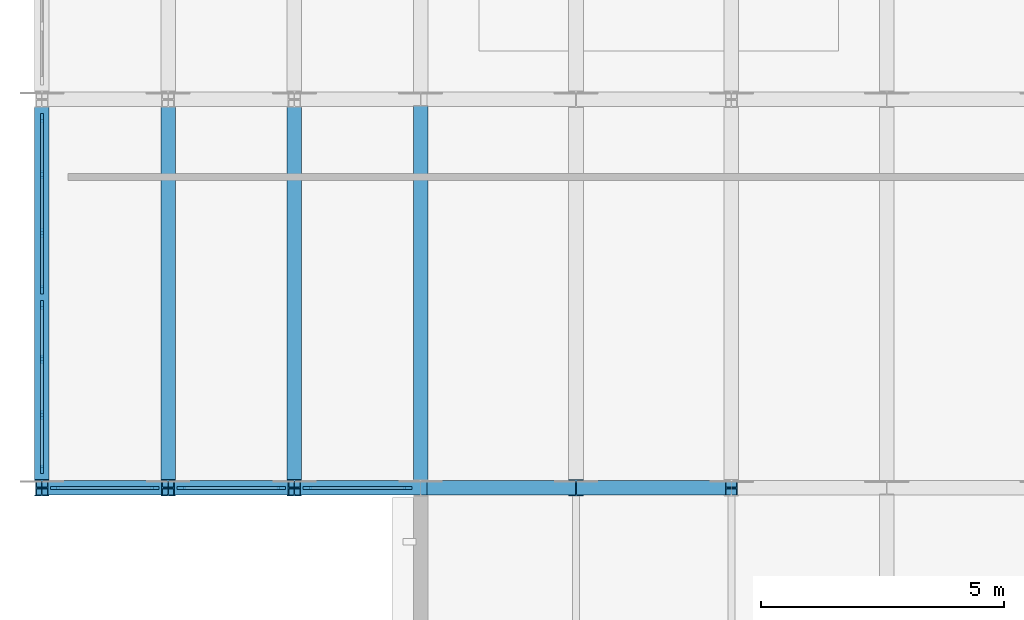
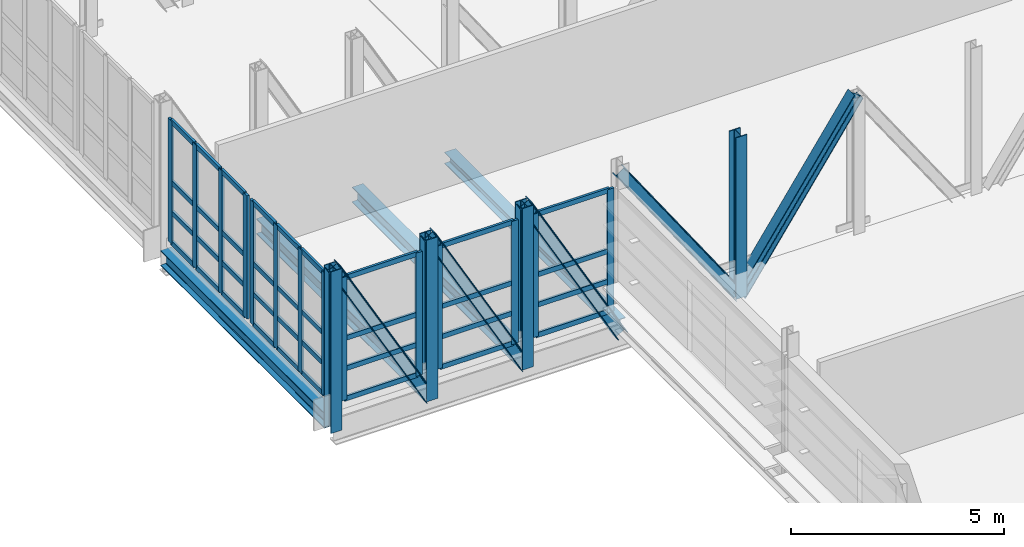
# One storey, part 19 of 73: 59 members, 4 beams, 5 elements without a shape of their own.
"""IFC4 building model written with IfcOpenShell, lengths in metres."""

from ifc_helpers import new_model, si_unit, direction, frame, origin, origin_2d, place, context, subcontext, project, spatial, rectangle, i_section, extrude, material, layer, layer_set, material_profile, profile_set, type_object, element, aggregate, save


model = new_model("IFC4")

# Units and contexts
model_context = context("Model", 3, precision=1e-05, world=origin(), true_north=direction((0.0, 1.0)))
body_context = subcontext(model_context, "Body", "Model", "MODEL_VIEW")
ifc_project = project(units=[si_unit("LENGTHUNIT", "METRE"), si_unit("AREAUNIT", "SQUARE_METRE"), si_unit("VOLUMEUNIT", "CUBIC_METRE"), si_unit("PLANEANGLEUNIT", "RADIAN"), si_unit("MASSUNIT", "GRAM", prefix="KILO")], contexts=[model_context])

# Site, building, storey
site_placement = place(None, origin())
site = spatial("IfcSite", under=ifc_project, at=site_placement, CompositionType="ELEMENT")
building_placement = place(site_placement, origin())
building = spatial("IfcBuilding", under=site, at=building_placement, Name="Alderhovde Museum", CompositionType="ELEMENT")
storey_placement = place(building_placement, frame((0.0, 0.0, 12.89990234375)))
storey = spatial("IfcBuildingStorey", under=building, at=storey_placement, Name="L03", CompositionType="ELEMENT", Elevation=12.89990234375)

# Beams
ifc_material_1 = material(Name="Steel S355J2", Category="steel")
ifc_material_profile_1 = material_profile(ifc_material_1, i_section(OverallWidth=0.300048828125, OverallDepth=0.330078125, WebThickness=0.009521484375, FlangeThickness=0.0166015625, FilletRadius=0.027099609375, at=origin_2d()), Name="HEA 340")
ifc_profile_set_1 = profile_set([ifc_material_profile_1], Name="Steel S355J2")
beam_type_1 = type_object("IfcBeamType", Name="BM-HEA340", PredefinedType="BEAM", material=ifc_profile_set_1)
beam_placement = place(storey_placement, frame((9.60009765625, 80.0, -0.48486328125), z_axis=(0.0, 1.0, 0.0), x_axis=(-1.0, 0.0, 0.0)))
element("IfcBeam", 1, at=beam_placement, inside=storey, type_object=beam_type_1, Name="L03 Grid Beam X=9.6 (80.0 TO 88.0)", PredefinedType="BEAM", context=body_context, shape_type="SweptSolid", body=[
    extrude(i_section(OverallWidth=0.300048828125, OverallDepth=0.330078125, WebThickness=0.009521484375, FlangeThickness=0.0166015625, FilletRadius=0.027099609375, at=origin_2d()), origin(), (0.0, 0.0, 1.0), 8.0),
])
ifc_material_2 = material(Name="Steel S355J2", Category="steel")
ifc_material_profile_2 = material_profile(ifc_material_2, i_section(OverallWidth=0.300048828125, OverallDepth=0.43994140625, WebThickness=0.011474609375, FlangeThickness=0.02099609375, FilletRadius=0.027099609375, at=origin_2d()), Name="HEA 450")
ifc_profile_set_2 = profile_set([ifc_material_profile_2], Name="Steel S355J2")
beam_type_2 = type_object("IfcBeamType", Name="BM-HEA450", PredefinedType="BEAM", material=ifc_profile_set_2)
for number, where, z_axis, x_axis, name in (
    (2, (1.800048828125, 80.14990234375, -0.539794921875), (0.0, 1.0, 0.0), (-1.0, 0.0, 0.0), "L03 Transfer Transverse Beam X=1.8"),
    (3, (4.39990234375, 80.14990234375, -0.539794921875), (0.0, 1.0, 0.0), (-1.0, 0.0, 0.0), "L03 Transfer Transverse Beam X=4.4"),
    (4, (7.0, 80.14990234375, -0.539794921875), (0.0, 1.0, 0.0), (-1.0, 0.0, 0.0), "L03 Transfer Transverse Beam X=7.0"),
):
    element("IfcBeam", number, at=place(storey_placement, frame(where, z_axis=z_axis, x_axis=x_axis)), inside=storey, type_object=beam_type_2, Name=name, PredefinedType="BEAM", context=body_context, shape_type="SweptSolid", body=[
        extrude(i_section(OverallWidth=0.300048828125, OverallDepth=0.43994140625, WebThickness=0.011474609375, FlangeThickness=0.02099609375, FilletRadius=0.027099609375, at=origin_2d()), origin(), (0.0, 0.0, 1.0), 7.7001953125),
    ])

# Curtain wall, members
ifc_material_3 = material(Name="Triple-Glazed Bronze-Anodised Curtain Wall", Category="glass")
ifc_layer_1 = layer(ifc_material_3, 0.179931640625)
ifc_layer_set_1 = layer_set([ifc_layer_1], Name="Triple-Glazed Bronze-Anodised Curtain Wall")
curtain_wall_type_1 = type_object("IfcCurtainWallType", Name="CW-UNIT-345x354", PredefinedType="USERDEFINED", material=ifc_layer_set_1)
curtain_wall_1_placement = place(storey_placement, origin())
curtain_wall_1 = element("IfcCurtainWall", 5, at=curtain_wall_1_placement, inside=storey, type_object=curtain_wall_type_1, Name="L03 Unitised Curtain Wall 91", ObjectType="UNITISED CURTAIN WALL", PredefinedType="USERDEFINED")
ifc_material_4 = material(Name="Bronze-Anodised Aluminium EN AW-6063-T6", Category="aluminium")
ifc_material_profile_3 = material_profile(ifc_material_4, rectangle(XDim=0.06494140625, YDim=0.179931640625, at=origin_2d()), Name="MULLION 65x180")
ifc_profile_set_3 = profile_set([ifc_material_profile_3], Name="Bronze-Anodised Aluminium EN AW-6063-T6")
member_type_1 = type_object("IfcMemberType", Name="CWM-65x180", PredefinedType="MULLION", material=ifc_profile_set_3)
member_1_placement = place(storey_placement, frame((1.800048828125, 80.382568359375, 0.0), z_axis=(0.0, 0.0, 1.0), x_axis=(-1.0, 0.0, 0.0)))
member_1 = element("IfcMember", 6, at=member_1_placement, type_object=member_type_1, Name="CW24 mullion 1", PredefinedType="MULLION", context=body_context, shape_type="SweptSolid", body=[
    extrude(rectangle(XDim=0.06494140625, YDim=0.179931640625, at=origin_2d()), origin(), (0.0, 0.0, 1.0), 3.5400390625),
])
member_2_placement = place(storey_placement, frame((1.800048828125, 81.5, 0.0), z_axis=(0.0, 0.0, 1.0), x_axis=(-1.0, 0.0, 0.0)))
member_2 = element("IfcMember", 7, at=member_2_placement, type_object=member_type_1, Name="CW24 mullion 2", PredefinedType="MULLION", context=body_context, shape_type="SweptSolid", body=[
    extrude(rectangle(XDim=0.06494140625, YDim=0.179931640625, at=origin_2d()), origin(), (0.0, 0.0, 1.0), 3.5400390625),
])
member_3_placement = place(storey_placement, frame((1.800048828125, 82.64990234375, 0.0), z_axis=(0.0, 0.0, 1.0), x_axis=(-1.0, 0.0, 0.0)))
member_3 = element("IfcMember", 8, at=member_3_placement, type_object=member_type_1, Name="CW24 mullion 3", PredefinedType="MULLION", context=body_context, shape_type="SweptSolid", body=[
    extrude(rectangle(XDim=0.06494140625, YDim=0.179931640625, at=origin_2d()), origin(), (0.0, 0.0, 1.0), 3.5400390625),
])
member_4_placement = place(storey_placement, frame((1.800048828125, 83.767578125, 0.0), z_axis=(0.0, 0.0, 1.0), x_axis=(-1.0, 0.0, 0.0)))
member_4 = element("IfcMember", 9, at=member_4_placement, type_object=member_type_1, Name="CW24 mullion 4", PredefinedType="MULLION", context=body_context, shape_type="SweptSolid", body=[
    extrude(rectangle(XDim=0.06494140625, YDim=0.179931640625, at=origin_2d()), origin(), (0.0, 0.0, 1.0), 3.5400390625),
])

ifc_material_5 = material(Name="Triple-Glazed Bronze-Anodised Curtain Wall", Category="glass")
ifc_layer_2 = layer(ifc_material_5, 0.179931640625)
ifc_layer_set_2 = layer_set([ifc_layer_2], Name="Triple-Glazed Bronze-Anodised Curtain Wall")
curtain_wall_type_2 = type_object("IfcCurtainWallType", Name="CW-UNIT-360x354", PredefinedType="USERDEFINED", material=ifc_layer_set_2)
curtain_wall_2_placement = place(storey_placement, origin())
curtain_wall_2 = element("IfcCurtainWall", 10, at=curtain_wall_2_placement, inside=storey, type_object=curtain_wall_type_2, Name="L03 Unitised Curtain Wall 92", ObjectType="UNITISED CURTAIN WALL", PredefinedType="USERDEFINED")
member_5_placement = place(storey_placement, frame((1.800048828125, 84.08251953125, 0.0), z_axis=(0.0, 0.0, 1.0), x_axis=(-1.0, 0.0, 0.0)))
member_5 = element("IfcMember", 11, at=member_5_placement, type_object=member_type_1, Name="CW20 mullion 1", PredefinedType="MULLION", context=body_context, shape_type="SweptSolid", body=[
    extrude(rectangle(XDim=0.06494140625, YDim=0.179931640625, at=origin_2d()), origin(), (0.0, 0.0, 1.0), 3.5400390625),
])
member_6_placement = place(storey_placement, frame((1.800048828125, 85.25, 0.0), z_axis=(0.0, 0.0, 1.0), x_axis=(-1.0, 0.0, 0.0)))
member_6 = element("IfcMember", 12, at=member_6_placement, type_object=member_type_1, Name="CW20 mullion 2", PredefinedType="MULLION", context=body_context, shape_type="SweptSolid", body=[
    extrude(rectangle(XDim=0.06494140625, YDim=0.179931640625, at=origin_2d()), origin(), (0.0, 0.0, 1.0), 3.5400390625),
])
member_7_placement = place(storey_placement, frame((1.800048828125, 86.449951171875, 0.0), z_axis=(0.0, 0.0, 1.0), x_axis=(-1.0, 0.0, 0.0)))
member_7 = element("IfcMember", 13, at=member_7_placement, type_object=member_type_1, Name="CW20 mullion 3", PredefinedType="MULLION", context=body_context, shape_type="SweptSolid", body=[
    extrude(rectangle(XDim=0.06494140625, YDim=0.179931640625, at=origin_2d()), origin(), (0.0, 0.0, 1.0), 3.5400390625),
])
member_8_placement = place(storey_placement, frame((1.800048828125, 87.617431640625, 0.0), z_axis=(0.0, 0.0, 1.0), x_axis=(-1.0, 0.0, 0.0)))
member_8 = element("IfcMember", 14, at=member_8_placement, type_object=member_type_1, Name="CW20 mullion 4", PredefinedType="MULLION", context=body_context, shape_type="SweptSolid", body=[
    extrude(rectangle(XDim=0.06494140625, YDim=0.179931640625, at=origin_2d()), origin(), (0.0, 0.0, 1.0), 3.5400390625),
])

ifc_material_6 = material(Name="Triple-Glazed Bronze-Anodised Curtain Wall", Category="glass")
ifc_layer_3 = layer(ifc_material_6, 0.179931640625)
ifc_layer_set_3 = layer_set([ifc_layer_3], Name="Triple-Glazed Bronze-Anodised Curtain Wall")
curtain_wall_type_3 = type_object("IfcCurtainWallType", Name="CW-UNIT-212x354", PredefinedType="USERDEFINED", material=ifc_layer_set_3)
curtain_wall_3_placement = place(storey_placement, origin())
curtain_wall_3 = element("IfcCurtainWall", 15, at=curtain_wall_3_placement, inside=storey, type_object=curtain_wall_type_3, Name="L03 Unitised Curtain Wall 100", ObjectType="UNITISED CURTAIN WALL", PredefinedType="USERDEFINED")
member_9_placement = place(storey_placement, frame((2.072509765625, 80.0, 0.0), z_axis=(0.0, 0.0, 1.0), x_axis=(0.0, 1.0, 0.0)))
member_9 = element("IfcMember", 16, at=member_9_placement, type_object=member_type_1, Name="CW25 mullion 1", PredefinedType="MULLION", context=body_context, shape_type="SweptSolid", body=[
    extrude(rectangle(XDim=0.06494140625, YDim=0.179931640625, at=origin_2d()), origin(), (0.0, 0.0, 1.0), 3.5400390625),
])
member_10_placement = place(storey_placement, frame((4.12744140625, 80.0, 0.0), z_axis=(0.0, 0.0, 1.0), x_axis=(0.0, 1.0, 0.0)))
member_10 = element("IfcMember", 17, at=member_10_placement, type_object=member_type_1, Name="CW25 mullion 2", PredefinedType="MULLION", context=body_context, shape_type="SweptSolid", body=[
    extrude(rectangle(XDim=0.06494140625, YDim=0.179931640625, at=origin_2d()), origin(), (0.0, 0.0, 1.0), 3.5400390625),
])

curtain_wall_4_placement = place(storey_placement, origin())
curtain_wall_4 = element("IfcCurtainWall", 18, at=curtain_wall_4_placement, inside=storey, type_object=curtain_wall_type_3, Name="L03 Unitised Curtain Wall 102", ObjectType="UNITISED CURTAIN WALL", PredefinedType="USERDEFINED")
member_11_placement = place(storey_placement, frame((4.672607421875, 80.0, 0.0), z_axis=(0.0, 0.0, 1.0), x_axis=(0.0, 1.0, 0.0)))
member_11 = element("IfcMember", 19, at=member_11_placement, type_object=member_type_1, Name="CW25 mullion 1", PredefinedType="MULLION", context=body_context, shape_type="SweptSolid", body=[
    extrude(rectangle(XDim=0.06494140625, YDim=0.179931640625, at=origin_2d()), origin(), (0.0, 0.0, 1.0), 3.5400390625),
])
member_12_placement = place(storey_placement, frame((6.7275390625, 80.0, 0.0), z_axis=(0.0, 0.0, 1.0), x_axis=(0.0, 1.0, 0.0)))
member_12 = element("IfcMember", 20, at=member_12_placement, type_object=member_type_1, Name="CW25 mullion 2", PredefinedType="MULLION", context=body_context, shape_type="SweptSolid", body=[
    extrude(rectangle(XDim=0.06494140625, YDim=0.179931640625, at=origin_2d()), origin(), (0.0, 0.0, 1.0), 3.5400390625),
])

curtain_wall_5_placement = place(storey_placement, origin())
curtain_wall_5 = element("IfcCurtainWall", 21, at=curtain_wall_5_placement, inside=storey, type_object=curtain_wall_type_3, Name="L03 Unitised Curtain Wall 104", ObjectType="UNITISED CURTAIN WALL", PredefinedType="USERDEFINED")
member_13_placement = place(storey_placement, frame((7.2724609375, 80.0, 0.0), z_axis=(0.0, 0.0, 1.0), x_axis=(0.0, 1.0, 0.0)))
member_13 = element("IfcMember", 22, at=member_13_placement, type_object=member_type_1, Name="CW25 mullion 1", PredefinedType="MULLION", context=body_context, shape_type="SweptSolid", body=[
    extrude(rectangle(XDim=0.06494140625, YDim=0.179931640625, at=origin_2d()), origin(), (0.0, 0.0, 1.0), 3.5400390625),
])
member_14_placement = place(storey_placement, frame((9.327392578125, 80.0, 0.0), z_axis=(0.0, 0.0, 1.0), x_axis=(0.0, 1.0, 0.0)))
member_14 = element("IfcMember", 23, at=member_14_placement, type_object=member_type_1, Name="CW25 mullion 2", PredefinedType="MULLION", context=body_context, shape_type="SweptSolid", body=[
    extrude(rectangle(XDim=0.06494140625, YDim=0.179931640625, at=origin_2d()), origin(), (0.0, 0.0, 1.0), 3.5400390625),
])

# Member
ifc_material_7 = material(Name="Bronze-Anodised Aluminium EN AW-6063-T6", Category="aluminium")
ifc_material_profile_4 = material_profile(ifc_material_7, rectangle(XDim=0.06494140625, YDim=0.139892578125, at=origin_2d()), Name="TRANSOM 65x140")
ifc_profile_set_4 = profile_set([ifc_material_profile_4], Name="Bronze-Anodised Aluminium EN AW-6063-T6")
member_type_2 = type_object("IfcMemberType", Name="CWT-65x140", PredefinedType="USERDEFINED", material=ifc_profile_set_4)
member_15_placement = place(storey_placement, frame((1.800048828125, 80.4150390625, 0.03271484375), z_axis=(0.0, 1.0, 0.0), x_axis=(-1.0, 0.0, 0.0)))
member_15 = element("IfcMember", 24, at=member_15_placement, type_object=member_type_2, Name="CW24 transom 1.1", ObjectType="TRANSOM", PredefinedType="USERDEFINED", context=body_context, shape_type="SweptSolid", body=[
    extrude(rectangle(XDim=0.06494140625, YDim=0.139892578125, at=origin_2d()), origin(), (0.0, 0.0, 1.0), 1.052490234375),
])

member_16_placement = place(storey_placement, frame((1.800048828125, 80.4150390625, 0.900146484375), z_axis=(0.0, 1.0, 0.0), x_axis=(-1.0, 0.0, 0.0)))
member_16 = element("IfcMember", 25, at=member_16_placement, type_object=member_type_2, Name="CW24 transom 1.2", ObjectType="TRANSOM", PredefinedType="USERDEFINED", context=body_context, shape_type="SweptSolid", body=[
    extrude(rectangle(XDim=0.06494140625, YDim=0.139892578125, at=origin_2d()), origin(), (0.0, 0.0, 1.0), 1.052490234375),
])

member_17_placement = place(storey_placement, frame((1.800048828125, 80.4150390625, 1.77001953125), z_axis=(0.0, 1.0, 0.0), x_axis=(-1.0, 0.0, 0.0)))
member_17 = element("IfcMember", 26, at=member_17_placement, type_object=member_type_2, Name="CW24 transom 1.3", ObjectType="TRANSOM", PredefinedType="USERDEFINED", context=body_context, shape_type="SweptSolid", body=[
    extrude(rectangle(XDim=0.06494140625, YDim=0.139892578125, at=origin_2d()), origin(), (0.0, 0.0, 1.0), 1.052490234375),
])

member_18_placement = place(storey_placement, frame((1.800048828125, 80.4150390625, 3.507568359375), z_axis=(0.0, 1.0, 0.0), x_axis=(-1.0, 0.0, 0.0)))
member_18 = element("IfcMember", 27, at=member_18_placement, type_object=member_type_2, Name="CW24 transom 1.4", ObjectType="TRANSOM", PredefinedType="USERDEFINED", context=body_context, shape_type="SweptSolid", body=[
    extrude(rectangle(XDim=0.06494140625, YDim=0.139892578125, at=origin_2d()), origin(), (0.0, 0.0, 1.0), 1.052490234375),
])

member_19_placement = place(storey_placement, frame((1.800048828125, 81.532470703125, 0.03271484375), z_axis=(0.0, 1.0, 0.0), x_axis=(-1.0, 0.0, 0.0)))
member_19 = element("IfcMember", 28, at=member_19_placement, type_object=member_type_2, Name="CW24 transom 2.1", ObjectType="TRANSOM", PredefinedType="USERDEFINED", context=body_context, shape_type="SweptSolid", body=[
    extrude(rectangle(XDim=0.06494140625, YDim=0.139892578125, at=origin_2d()), origin(), (0.0, 0.0, 1.0), 1.0849609375),
])

member_20_placement = place(storey_placement, frame((1.800048828125, 81.532470703125, 0.900146484375), z_axis=(0.0, 1.0, 0.0), x_axis=(-1.0, 0.0, 0.0)))
member_20 = element("IfcMember", 29, at=member_20_placement, type_object=member_type_2, Name="CW24 transom 2.2", ObjectType="TRANSOM", PredefinedType="USERDEFINED", context=body_context, shape_type="SweptSolid", body=[
    extrude(rectangle(XDim=0.06494140625, YDim=0.139892578125, at=origin_2d()), origin(), (0.0, 0.0, 1.0), 1.0849609375),
])

member_21_placement = place(storey_placement, frame((1.800048828125, 81.532470703125, 1.77001953125), z_axis=(0.0, 1.0, 0.0), x_axis=(-1.0, 0.0, 0.0)))
member_21 = element("IfcMember", 30, at=member_21_placement, type_object=member_type_2, Name="CW24 transom 2.3", ObjectType="TRANSOM", PredefinedType="USERDEFINED", context=body_context, shape_type="SweptSolid", body=[
    extrude(rectangle(XDim=0.06494140625, YDim=0.139892578125, at=origin_2d()), origin(), (0.0, 0.0, 1.0), 1.0849609375),
])

member_22_placement = place(storey_placement, frame((1.800048828125, 81.532470703125, 3.507568359375), z_axis=(0.0, 1.0, 0.0), x_axis=(-1.0, 0.0, 0.0)))
member_22 = element("IfcMember", 31, at=member_22_placement, type_object=member_type_2, Name="CW24 transom 2.4", ObjectType="TRANSOM", PredefinedType="USERDEFINED", context=body_context, shape_type="SweptSolid", body=[
    extrude(rectangle(XDim=0.06494140625, YDim=0.139892578125, at=origin_2d()), origin(), (0.0, 0.0, 1.0), 1.0849609375),
])

member_23_placement = place(storey_placement, frame((1.800048828125, 82.6826171875, 0.03271484375), z_axis=(0.0, 1.0, 0.0), x_axis=(-1.0, 0.0, 0.0)))
member_23 = element("IfcMember", 32, at=member_23_placement, type_object=member_type_2, Name="CW24 transom 3.1", ObjectType="TRANSOM", PredefinedType="USERDEFINED", context=body_context, shape_type="SweptSolid", body=[
    extrude(rectangle(XDim=0.06494140625, YDim=0.139892578125, at=origin_2d()), origin(), (0.0, 0.0, 1.0), 1.052490234375),
])

member_24_placement = place(storey_placement, frame((1.800048828125, 82.6826171875, 0.900146484375), z_axis=(0.0, 1.0, 0.0), x_axis=(-1.0, 0.0, 0.0)))
member_24 = element("IfcMember", 33, at=member_24_placement, type_object=member_type_2, Name="CW24 transom 3.2", ObjectType="TRANSOM", PredefinedType="USERDEFINED", context=body_context, shape_type="SweptSolid", body=[
    extrude(rectangle(XDim=0.06494140625, YDim=0.139892578125, at=origin_2d()), origin(), (0.0, 0.0, 1.0), 1.052490234375),
])

member_25_placement = place(storey_placement, frame((1.800048828125, 82.6826171875, 1.77001953125), z_axis=(0.0, 1.0, 0.0), x_axis=(-1.0, 0.0, 0.0)))
member_25 = element("IfcMember", 34, at=member_25_placement, type_object=member_type_2, Name="CW24 transom 3.3", ObjectType="TRANSOM", PredefinedType="USERDEFINED", context=body_context, shape_type="SweptSolid", body=[
    extrude(rectangle(XDim=0.06494140625, YDim=0.139892578125, at=origin_2d()), origin(), (0.0, 0.0, 1.0), 1.052490234375),
])

member_26_placement = place(storey_placement, frame((1.800048828125, 82.6826171875, 3.507568359375), z_axis=(0.0, 1.0, 0.0), x_axis=(-1.0, 0.0, 0.0)))
member_26 = element("IfcMember", 35, at=member_26_placement, type_object=member_type_2, Name="CW24 transom 3.4", ObjectType="TRANSOM", PredefinedType="USERDEFINED", context=body_context, shape_type="SweptSolid", body=[
    extrude(rectangle(XDim=0.06494140625, YDim=0.139892578125, at=origin_2d()), origin(), (0.0, 0.0, 1.0), 1.052490234375),
])

aggregate(curtain_wall_1, [member_1, member_2, member_3, member_4, member_15, member_16, member_17, member_18, member_19, member_20, member_21, member_22, member_23, member_24, member_25, member_26])

member_27_placement = place(storey_placement, frame((1.800048828125, 84.114990234375, 0.03271484375), z_axis=(0.0, 1.0, 0.0), x_axis=(-1.0, 0.0, 0.0)))
member_27 = element("IfcMember", 36, at=member_27_placement, type_object=member_type_2, Name="CW20 transom 1.1", ObjectType="TRANSOM", PredefinedType="USERDEFINED", context=body_context, shape_type="SweptSolid", body=[
    extrude(rectangle(XDim=0.06494140625, YDim=0.139892578125, at=origin_2d()), origin(), (0.0, 0.0, 1.0), 1.1025390625),
])

member_28_placement = place(storey_placement, frame((1.800048828125, 84.114990234375, 0.900146484375), z_axis=(0.0, 1.0, 0.0), x_axis=(-1.0, 0.0, 0.0)))
member_28 = element("IfcMember", 37, at=member_28_placement, type_object=member_type_2, Name="CW20 transom 1.2", ObjectType="TRANSOM", PredefinedType="USERDEFINED", context=body_context, shape_type="SweptSolid", body=[
    extrude(rectangle(XDim=0.06494140625, YDim=0.139892578125, at=origin_2d()), origin(), (0.0, 0.0, 1.0), 1.1025390625),
])

member_29_placement = place(storey_placement, frame((1.800048828125, 84.114990234375, 1.77001953125), z_axis=(0.0, 1.0, 0.0), x_axis=(-1.0, 0.0, 0.0)))
member_29 = element("IfcMember", 38, at=member_29_placement, type_object=member_type_2, Name="CW20 transom 1.3", ObjectType="TRANSOM", PredefinedType="USERDEFINED", context=body_context, shape_type="SweptSolid", body=[
    extrude(rectangle(XDim=0.06494140625, YDim=0.139892578125, at=origin_2d()), origin(), (0.0, 0.0, 1.0), 1.1025390625),
])

member_30_placement = place(storey_placement, frame((1.800048828125, 84.114990234375, 3.507568359375), z_axis=(0.0, 1.0, 0.0), x_axis=(-1.0, 0.0, 0.0)))
member_30 = element("IfcMember", 39, at=member_30_placement, type_object=member_type_2, Name="CW20 transom 1.4", ObjectType="TRANSOM", PredefinedType="USERDEFINED", context=body_context, shape_type="SweptSolid", body=[
    extrude(rectangle(XDim=0.06494140625, YDim=0.139892578125, at=origin_2d()), origin(), (0.0, 0.0, 1.0), 1.1025390625),
])

member_31_placement = place(storey_placement, frame((1.800048828125, 85.282470703125, 0.03271484375), z_axis=(0.0, 1.0, 0.0), x_axis=(-1.0, 0.0, 0.0)))
member_31 = element("IfcMember", 40, at=member_31_placement, type_object=member_type_2, Name="CW20 transom 2.1", ObjectType="TRANSOM", PredefinedType="USERDEFINED", context=body_context, shape_type="SweptSolid", body=[
    extrude(rectangle(XDim=0.06494140625, YDim=0.139892578125, at=origin_2d()), origin(), (0.0, 0.0, 1.0), 1.135009765625),
])

member_32_placement = place(storey_placement, frame((1.800048828125, 85.282470703125, 0.900146484375), z_axis=(0.0, 1.0, 0.0), x_axis=(-1.0, 0.0, 0.0)))
member_32 = element("IfcMember", 41, at=member_32_placement, type_object=member_type_2, Name="CW20 transom 2.2", ObjectType="TRANSOM", PredefinedType="USERDEFINED", context=body_context, shape_type="SweptSolid", body=[
    extrude(rectangle(XDim=0.06494140625, YDim=0.139892578125, at=origin_2d()), origin(), (0.0, 0.0, 1.0), 1.135009765625),
])

member_33_placement = place(storey_placement, frame((1.800048828125, 85.282470703125, 1.77001953125), z_axis=(0.0, 1.0, 0.0), x_axis=(-1.0, 0.0, 0.0)))
member_33 = element("IfcMember", 42, at=member_33_placement, type_object=member_type_2, Name="CW20 transom 2.3", ObjectType="TRANSOM", PredefinedType="USERDEFINED", context=body_context, shape_type="SweptSolid", body=[
    extrude(rectangle(XDim=0.06494140625, YDim=0.139892578125, at=origin_2d()), origin(), (0.0, 0.0, 1.0), 1.135009765625),
])

member_34_placement = place(storey_placement, frame((1.800048828125, 85.282470703125, 3.507568359375), z_axis=(0.0, 1.0, 0.0), x_axis=(-1.0, 0.0, 0.0)))
member_34 = element("IfcMember", 43, at=member_34_placement, type_object=member_type_2, Name="CW20 transom 2.4", ObjectType="TRANSOM", PredefinedType="USERDEFINED", context=body_context, shape_type="SweptSolid", body=[
    extrude(rectangle(XDim=0.06494140625, YDim=0.139892578125, at=origin_2d()), origin(), (0.0, 0.0, 1.0), 1.135009765625),
])

member_35_placement = place(storey_placement, frame((1.800048828125, 86.482421875, 0.03271484375), z_axis=(0.0, 1.0, 0.0), x_axis=(-1.0, 0.0, 0.0)))
member_35 = element("IfcMember", 44, at=member_35_placement, type_object=member_type_2, Name="CW20 transom 3.1", ObjectType="TRANSOM", PredefinedType="USERDEFINED", context=body_context, shape_type="SweptSolid", body=[
    extrude(rectangle(XDim=0.06494140625, YDim=0.139892578125, at=origin_2d()), origin(), (0.0, 0.0, 1.0), 1.1025390625),
])

member_36_placement = place(storey_placement, frame((1.800048828125, 86.482421875, 0.900146484375), z_axis=(0.0, 1.0, 0.0), x_axis=(-1.0, 0.0, 0.0)))
member_36 = element("IfcMember", 45, at=member_36_placement, type_object=member_type_2, Name="CW20 transom 3.2", ObjectType="TRANSOM", PredefinedType="USERDEFINED", context=body_context, shape_type="SweptSolid", body=[
    extrude(rectangle(XDim=0.06494140625, YDim=0.139892578125, at=origin_2d()), origin(), (0.0, 0.0, 1.0), 1.1025390625),
])

member_37_placement = place(storey_placement, frame((1.800048828125, 86.482421875, 1.77001953125), z_axis=(0.0, 1.0, 0.0), x_axis=(-1.0, 0.0, 0.0)))
member_37 = element("IfcMember", 46, at=member_37_placement, type_object=member_type_2, Name="CW20 transom 3.3", ObjectType="TRANSOM", PredefinedType="USERDEFINED", context=body_context, shape_type="SweptSolid", body=[
    extrude(rectangle(XDim=0.06494140625, YDim=0.139892578125, at=origin_2d()), origin(), (0.0, 0.0, 1.0), 1.1025390625),
])

member_38_placement = place(storey_placement, frame((1.800048828125, 86.482421875, 3.507568359375), z_axis=(0.0, 1.0, 0.0), x_axis=(-1.0, 0.0, 0.0)))
member_38 = element("IfcMember", 47, at=member_38_placement, type_object=member_type_2, Name="CW20 transom 3.4", ObjectType="TRANSOM", PredefinedType="USERDEFINED", context=body_context, shape_type="SweptSolid", body=[
    extrude(rectangle(XDim=0.06494140625, YDim=0.139892578125, at=origin_2d()), origin(), (0.0, 0.0, 1.0), 1.1025390625),
])

aggregate(curtain_wall_2, [member_5, member_6, member_7, member_8, member_27, member_28, member_29, member_30, member_31, member_32, member_33, member_34, member_35, member_36, member_37, member_38])

member_39_placement = place(storey_placement, frame((2.10498046875, 80.0, 0.03271484375), z_axis=(1.0, 0.0, 0.0), x_axis=(0.0, 1.0, 0.0)))
member_39 = element("IfcMember", 48, at=member_39_placement, type_object=member_type_2, Name="CW25 transom 1.1", ObjectType="TRANSOM", PredefinedType="USERDEFINED", context=body_context, shape_type="SweptSolid", body=[
    extrude(rectangle(XDim=0.06494140625, YDim=0.139892578125, at=origin_2d()), origin(), (0.0, 0.0, 1.0), 1.989990234375),
])

member_40_placement = place(storey_placement, frame((2.10498046875, 80.0, 0.900146484375), z_axis=(1.0, 0.0, 0.0), x_axis=(0.0, 1.0, 0.0)))
member_40 = element("IfcMember", 49, at=member_40_placement, type_object=member_type_2, Name="CW25 transom 1.2", ObjectType="TRANSOM", PredefinedType="USERDEFINED", context=body_context, shape_type="SweptSolid", body=[
    extrude(rectangle(XDim=0.06494140625, YDim=0.139892578125, at=origin_2d()), origin(), (0.0, 0.0, 1.0), 1.989990234375),
])

member_41_placement = place(storey_placement, frame((2.10498046875, 80.0, 1.77001953125), z_axis=(1.0, 0.0, 0.0), x_axis=(0.0, 1.0, 0.0)))
member_41 = element("IfcMember", 50, at=member_41_placement, type_object=member_type_2, Name="CW25 transom 1.3", ObjectType="TRANSOM", PredefinedType="USERDEFINED", context=body_context, shape_type="SweptSolid", body=[
    extrude(rectangle(XDim=0.06494140625, YDim=0.139892578125, at=origin_2d()), origin(), (0.0, 0.0, 1.0), 1.989990234375),
])

member_42_placement = place(storey_placement, frame((2.10498046875, 80.0, 3.507568359375), z_axis=(1.0, 0.0, 0.0), x_axis=(0.0, 1.0, 0.0)))
member_42 = element("IfcMember", 51, at=member_42_placement, type_object=member_type_2, Name="CW25 transom 1.4", ObjectType="TRANSOM", PredefinedType="USERDEFINED", context=body_context, shape_type="SweptSolid", body=[
    extrude(rectangle(XDim=0.06494140625, YDim=0.139892578125, at=origin_2d()), origin(), (0.0, 0.0, 1.0), 1.989990234375),
])

aggregate(curtain_wall_3, [member_9, member_10, member_39, member_40, member_41, member_42])

member_43_placement = place(storey_placement, frame((4.705078125, 80.0, 0.03271484375), z_axis=(1.0, 0.0, 0.0), x_axis=(0.0, 1.0, 0.0)))
member_43 = element("IfcMember", 52, at=member_43_placement, type_object=member_type_2, Name="CW25 transom 1.1", ObjectType="TRANSOM", PredefinedType="USERDEFINED", context=body_context, shape_type="SweptSolid", body=[
    extrude(rectangle(XDim=0.06494140625, YDim=0.139892578125, at=origin_2d()), origin(), (0.0, 0.0, 1.0), 1.989990234375),
])

member_44_placement = place(storey_placement, frame((4.705078125, 80.0, 0.900146484375), z_axis=(1.0, 0.0, 0.0), x_axis=(0.0, 1.0, 0.0)))
member_44 = element("IfcMember", 53, at=member_44_placement, type_object=member_type_2, Name="CW25 transom 1.2", ObjectType="TRANSOM", PredefinedType="USERDEFINED", context=body_context, shape_type="SweptSolid", body=[
    extrude(rectangle(XDim=0.06494140625, YDim=0.139892578125, at=origin_2d()), origin(), (0.0, 0.0, 1.0), 1.989990234375),
])

member_45_placement = place(storey_placement, frame((4.705078125, 80.0, 1.77001953125), z_axis=(1.0, 0.0, 0.0), x_axis=(0.0, 1.0, 0.0)))
member_45 = element("IfcMember", 54, at=member_45_placement, type_object=member_type_2, Name="CW25 transom 1.3", ObjectType="TRANSOM", PredefinedType="USERDEFINED", context=body_context, shape_type="SweptSolid", body=[
    extrude(rectangle(XDim=0.06494140625, YDim=0.139892578125, at=origin_2d()), origin(), (0.0, 0.0, 1.0), 1.989990234375),
])

member_46_placement = place(storey_placement, frame((4.705078125, 80.0, 3.507568359375), z_axis=(1.0, 0.0, 0.0), x_axis=(0.0, 1.0, 0.0)))
member_46 = element("IfcMember", 55, at=member_46_placement, type_object=member_type_2, Name="CW25 transom 1.4", ObjectType="TRANSOM", PredefinedType="USERDEFINED", context=body_context, shape_type="SweptSolid", body=[
    extrude(rectangle(XDim=0.06494140625, YDim=0.139892578125, at=origin_2d()), origin(), (0.0, 0.0, 1.0), 1.989990234375),
])

aggregate(curtain_wall_4, [member_11, member_12, member_43, member_44, member_45, member_46])

member_47_placement = place(storey_placement, frame((7.304931640625, 80.0, 0.03271484375), z_axis=(1.0, 0.0, 0.0), x_axis=(0.0, 1.0, 0.0)))
member_47 = element("IfcMember", 56, at=member_47_placement, type_object=member_type_2, Name="CW25 transom 1.1", ObjectType="TRANSOM", PredefinedType="USERDEFINED", context=body_context, shape_type="SweptSolid", body=[
    extrude(rectangle(XDim=0.06494140625, YDim=0.139892578125, at=origin_2d()), origin(), (0.0, 0.0, 1.0), 1.989990234375),
])

member_48_placement = place(storey_placement, frame((7.304931640625, 80.0, 0.900146484375), z_axis=(1.0, 0.0, 0.0), x_axis=(0.0, 1.0, 0.0)))
member_48 = element("IfcMember", 57, at=member_48_placement, type_object=member_type_2, Name="CW25 transom 1.2", ObjectType="TRANSOM", PredefinedType="USERDEFINED", context=body_context, shape_type="SweptSolid", body=[
    extrude(rectangle(XDim=0.06494140625, YDim=0.139892578125, at=origin_2d()), origin(), (0.0, 0.0, 1.0), 1.989990234375),
])

member_49_placement = place(storey_placement, frame((7.304931640625, 80.0, 1.77001953125), z_axis=(1.0, 0.0, 0.0), x_axis=(0.0, 1.0, 0.0)))
member_49 = element("IfcMember", 58, at=member_49_placement, type_object=member_type_2, Name="CW25 transom 1.3", ObjectType="TRANSOM", PredefinedType="USERDEFINED", context=body_context, shape_type="SweptSolid", body=[
    extrude(rectangle(XDim=0.06494140625, YDim=0.139892578125, at=origin_2d()), origin(), (0.0, 0.0, 1.0), 1.989990234375),
])

member_50_placement = place(storey_placement, frame((7.304931640625, 80.0, 3.507568359375), z_axis=(1.0, 0.0, 0.0), x_axis=(0.0, 1.0, 0.0)))
member_50 = element("IfcMember", 59, at=member_50_placement, type_object=member_type_2, Name="CW25 transom 1.4", ObjectType="TRANSOM", PredefinedType="USERDEFINED", context=body_context, shape_type="SweptSolid", body=[
    extrude(rectangle(XDim=0.06494140625, YDim=0.139892578125, at=origin_2d()), origin(), (0.0, 0.0, 1.0), 1.989990234375),
])

aggregate(curtain_wall_5, [member_13, member_14, member_47, member_48, member_49, member_50])

# Members
ifc_material_8 = material(Name="Steel S355J2", Category="steel")
ifc_material_profile_5 = material_profile(ifc_material_8, i_section(OverallWidth=0.300048828125, OverallDepth=0.300048828125, WebThickness=0.010986328125, FlangeThickness=0.01904296875, FilletRadius=0.027099609375, at=origin_2d()), Name="HEB 300")
ifc_profile_set_5 = profile_set([ifc_material_profile_5], Name="Steel S355J2")
member_type_3 = type_object("IfcMemberType", Name="TR-DG-HEB300", PredefinedType="STRUT", material=ifc_profile_set_5)
for number, where, z_axis, x_axis, name in (
    (60, (1.800048828125, 80.0, 3.920166015625), (0.488800434728, 0.0, -0.872395629866), (0.0, 1.0, 0.0), "Transfer Truss Y=80 T1 Diagonal 1"),
    (61, (4.39990234375, 80.0, 3.920166015625), (0.488835367665, 0.0, -0.872376056136), (0.0, 1.0, 0.0), "Transfer Truss Y=80 T1 Diagonal 2"),
    (62, (7.0, 80.0, 3.920166015625), (0.488835367665, 0.0, -0.872376056136), (0.0, 1.0, 0.0), "Transfer Truss Y=80 T1 Diagonal 3"),
):
    element("IfcMember", number, at=place(storey_placement, frame(where, z_axis=z_axis, x_axis=x_axis)), inside=storey, type_object=member_type_3, Name=name, PredefinedType="STRUT", context=body_context, shape_type="SweptSolid", body=[
        extrude(i_section(OverallWidth=0.300048828125, OverallDepth=0.300048828125, WebThickness=0.010986328125, FlangeThickness=0.01904296875, FilletRadius=0.027099609375, at=origin_2d()), origin(), (0.0, 0.0, 1.0), 5.31884765625),
    ])
for number, where, z_axis, x_axis, name in (
    (63, (9.60009765625, 80.0, 3.920166015625), (0.567715748774, 0.0, -0.823224652567), (0.0, 1.0, 0.0), "Transfer Truss Y=80 T1 Diagonal 4"),
    (64, (12.800048828125, 80.0, -0.719970703125), (0.567715748774, 0.0, 0.823224652567), (0.0, 1.0, 0.0), "Transfer Truss Y=80 T1 Diagonal 5"),
):
    element("IfcMember", number, at=place(storey_placement, frame(where, z_axis=z_axis, x_axis=x_axis)), inside=storey, type_object=member_type_3, Name=name, PredefinedType="STRUT", context=body_context, shape_type="SweptSolid", body=[
        extrude(i_section(OverallWidth=0.300048828125, OverallDepth=0.300048828125, WebThickness=0.010986328125, FlangeThickness=0.01904296875, FilletRadius=0.027099609375, at=origin_2d()), origin(), (0.0, 0.0, 1.0), 5.636474609375),
    ])
ifc_material_9 = material(Name="Steel S355J2", Category="steel")
ifc_material_profile_6 = material_profile(ifc_material_9, i_section(OverallWidth=0.300048828125, OverallDepth=0.340087890625, WebThickness=0.011962890625, FlangeThickness=0.021484375, FilletRadius=0.027099609375, at=origin_2d()), Name="HEB 340")
ifc_profile_set_6 = profile_set([ifc_material_profile_6], Name="Steel S355J2")
member_type_4 = type_object("IfcMemberType", Name="TR-PS-HEB340", PredefinedType="POST", material=ifc_profile_set_6)
for number, where, z_axis, x_axis, name in (
    (65, (1.800048828125, 80.0, -0.719970703125), (0.0, 0.0, 1.0), (1.0, 0.0, 0.0), "Transfer Truss Y=80 T1 Post 1"),
    (66, (4.39990234375, 80.0, -0.719970703125), (0.0, 0.0, 1.0), (1.0, 0.0, 0.0), "Transfer Truss Y=80 T1 Post 2"),
    (67, (7.0, 80.0, -0.719970703125), (0.0, 0.0, 1.0), (1.0, 0.0, 0.0), "Transfer Truss Y=80 T1 Post 3"),
    (68, (12.800048828125, 80.0, -0.719970703125), (0.0, 0.0, 1.0), (1.0, 0.0, 0.0), "Transfer Truss Y=80 T1 Post 5"),
):
    element("IfcMember", number, at=place(storey_placement, frame(where, z_axis=z_axis, x_axis=x_axis)), inside=storey, type_object=member_type_4, Name=name, PredefinedType="POST", context=body_context, shape_type="SweptSolid", body=[
        extrude(i_section(OverallWidth=0.300048828125, OverallDepth=0.340087890625, WebThickness=0.011962890625, FlangeThickness=0.021484375, FilletRadius=0.027099609375, at=origin_2d()), origin(), (0.0, 0.0, 1.0), 4.64013671875),
    ])

save(model, "model.ifc")
